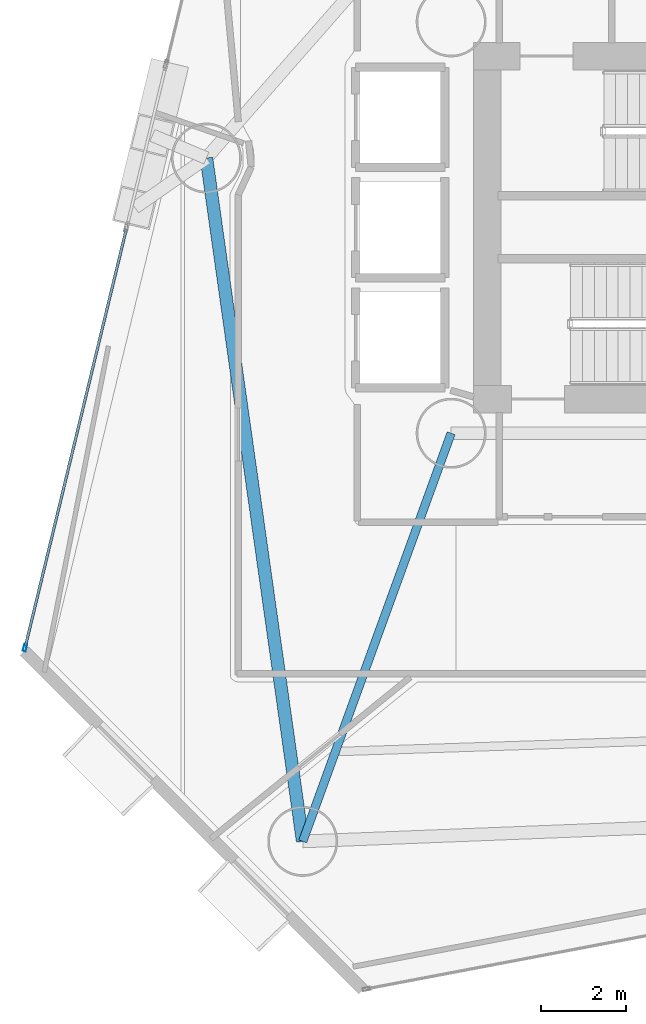
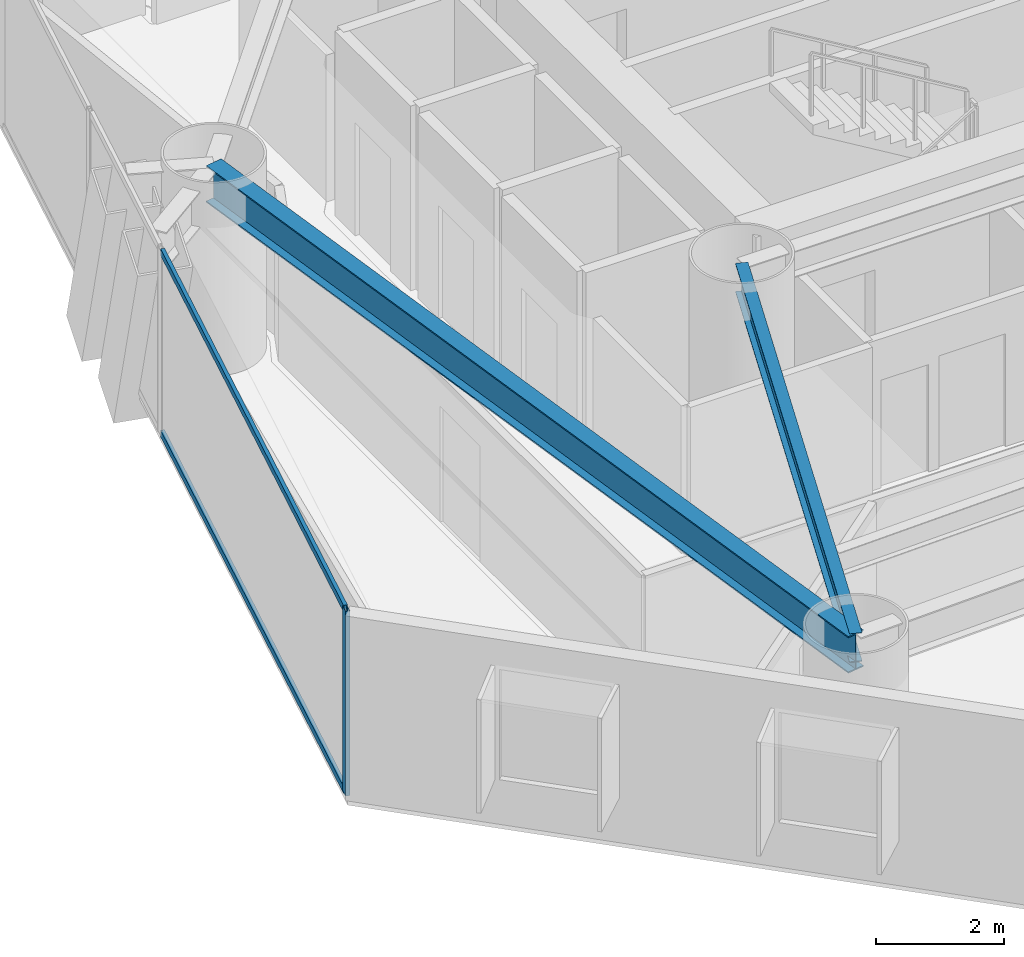
# One storey, part 3 of 23: 3 members, 2 beams, 1 element without a shape of its own.
"""IFC4 building model written with IfcOpenShell, lengths in metres."""

from ifc_helpers import new_model, si_unit, direction, frame, origin, origin_2d, place, context, subcontext, project, spatial, hollow_rectangle, i_section, extrude, material, layer, layer_set, material_profile, profile_set, type_object, element, aggregate, save


model = new_model("IFC4")

# Units and contexts
model_context = context("Model", 3, precision=1e-05, world=origin(), true_north=direction((0.0, 1.0)))
body_context = subcontext(model_context, "Body", "Model", "MODEL_VIEW")
ifc_project = project(units=[si_unit("LENGTHUNIT", "METRE"), si_unit("AREAUNIT", "SQUARE_METRE"), si_unit("VOLUMEUNIT", "CUBIC_METRE"), si_unit("PLANEANGLEUNIT", "RADIAN"), si_unit("MASSUNIT", "GRAM", prefix="KILO")], contexts=[model_context])

# Site, building, storey
site_placement = place(None, origin())
site = spatial("IfcSite", under=ifc_project, at=site_placement, CompositionType="ELEMENT")
building_placement = place(site_placement, origin())
building = spatial("IfcBuilding", under=site, at=building_placement, Name="Qianvela Tower", CompositionType="ELEMENT")
storey_placement = place(building_placement, frame((0.0, 0.0, 85.800048828125)))
storey = spatial("IfcBuildingStorey", under=building, at=storey_placement, Name="L21", CompositionType="ELEMENT", Elevation=85.800048828125)

# Beams
ifc_material_1 = material(Name="Steel Q355B", Category="steel")
ifc_material_profile_1 = material_profile(ifc_material_1, i_section(OverallWidth=0.199951171875, OverallDepth=0.550048828125, WebThickness=0.010009765625, FlangeThickness=0.01611328125, at=origin_2d()), Name="HN550x200x10x16")
ifc_profile_set_1 = profile_set([ifc_material_profile_1], Name="Steel Q355B")
beam_type_1 = type_object("IfcBeamType", Name="BM-HN550-GIRD", PredefinedType="BEAM", material=ifc_profile_set_1)
beam_1_placement = place(storey_placement, frame((28.60009765625, 23.85009765625, 3.242919921875), z_axis=(-0.341743063087, -0.939793423488, 0.0), x_axis=(0.939793423488, -0.341743063087, 0.0)))
element("IfcBeam", 1, at=beam_1_placement, inside=storey, type_object=beam_type_1, Name="L21 Radial Primary Floor Girder 5", PredefinedType="BEAM", context=body_context, shape_type="SweptSolid", body=[
    extrude(i_section(OverallWidth=0.199951171875, OverallDepth=0.550048828125, WebThickness=0.010009765625, FlangeThickness=0.01611328125, at=origin_2d()), origin(), (0.0, 0.0, 1.0), 10.24169921875),
])
ifc_material_2 = material(Name="Steel Q355B", Category="steel")
ifc_material_profile_2 = material_profile(ifc_material_2, i_section(OverallWidth=0.300048828125, OverallDepth=0.699951171875, WebThickness=0.012939453125, FlangeThickness=0.02392578125, at=origin_2d()), Name="HN700x300x13x24")
ifc_profile_set_2 = profile_set([ifc_material_profile_2], Name="Steel Q355B")
beam_type_2 = type_object("IfcBeamType", Name="BM-HN700-SPAND", PredefinedType="SPANDREL", material=ifc_profile_set_2)
beam_2_placement = place(storey_placement, frame((22.8291015625, 30.340087890625, 3.16796875), z_axis=(0.139545592864, -0.990215646974, 0.0), x_axis=(0.990215646974, 0.139545592864, 0.0)))
element("IfcBeam", 2, at=beam_2_placement, inside=storey, type_object=beam_type_2, Name="L21 Perimeter Ring Spandrel Girder 4", PredefinedType="SPANDREL", context=body_context, shape_type="SweptSolid", body=[
    extrude(i_section(OverallWidth=0.300048828125, OverallDepth=0.699951171875, WebThickness=0.012939453125, FlangeThickness=0.02392578125, at=origin_2d()), origin(), (0.0, 0.0, 1.0), 16.274169921875),
])

# Curtain wall, members
ifc_material_3 = material(Name="Anodised Architectural Aluminium and Low-E Glass", Category="aluminium")
ifc_layer = layer(ifc_material_3, 0.179931640625)
ifc_layer_set = layer_set([ifc_layer], Name="Anodised Architectural Aluminium and Low-E Glass")
curtain_wall_type = type_object("IfcCurtainWallType", Name="CW-COLIV-Z12", PredefinedType="USERDEFINED", material=ifc_layer_set)
curtain_wall_placement = place(storey_placement, origin())
curtain_wall = element("IfcCurtainWall", 3, at=curtain_wall_placement, inside=storey, type_object=curtain_wall_type, Name="L21 CW-COLIV-Z12 Curtain Wall 04C", ObjectType="CURTAIN_WALL_SYSTEM", PredefinedType="USERDEFINED")
ifc_material_4 = material(Name="Anodised Architectural Aluminium 6063-T6", Category="aluminium")
ifc_material_profile_3 = material_profile(ifc_material_4, hollow_rectangle(XDim=0.070068359375, YDim=0.179931640625, WallThickness=0.0048828125, at=origin_2d()), Name="ALU-MULL-70x180")
ifc_profile_set_3 = profile_set([ifc_material_profile_3], Name="Anodised Architectural Aluminium 6063-T6")
member_type_1 = type_object("IfcMemberType", Name="CW-COLIV-Z12-MULL", PredefinedType="MULLION", material=ifc_profile_set_3)
member_1_placement = place(storey_placement, frame((18.55224609375, 18.7958984375, 0.0), z_axis=(0.0, 0.0, 1.0), x_axis=(0.971961901314, -0.235138389877, 0.0)))
member_1 = element("IfcMember", 4, at=member_1_placement, type_object=member_type_1, Name="CW-3 mullion 2", PredefinedType="MULLION", context=body_context, shape_type="SweptSolid", body=[
    extrude(hollow_rectangle(XDim=0.070068359375, YDim=0.179931640625, WallThickness=0.0048828125, at=origin_2d()), origin(), (0.0, 0.0, 1.0), 3.52001953125),
])
ifc_material_5 = material(Name="Anodised Architectural Aluminium 6063-T6", Category="aluminium")
ifc_material_profile_4 = material_profile(ifc_material_5, hollow_rectangle(XDim=0.06494140625, YDim=0.1298828125, WallThickness=0.00439453125, at=origin_2d()), Name="ALU-TRAN-65x130")
ifc_profile_set_4 = profile_set([ifc_material_profile_4], Name="Anodised Architectural Aluminium 6063-T6")
member_type_2 = type_object("IfcMemberType", Name="CW-COLIV-Z12-TRAN", PredefinedType="USERDEFINED", material=ifc_profile_set_4)
member_2_placement = place(storey_placement, frame((20.938720703125, 28.661376953125, 0.032470703125), z_axis=(-0.235134399011, -0.971962866781, 0.0), x_axis=(0.971962866781, -0.235134399011, 0.0)))
member_2 = element("IfcMember", 5, at=member_2_placement, type_object=member_type_2, Name="CW-3 transom 1.1", ObjectType="TRANSOM", PredefinedType="USERDEFINED", context=body_context, shape_type="SweptSolid", body=[
    extrude(hollow_rectangle(XDim=0.06494140625, YDim=0.1298828125, WallThickness=0.00439453125, at=origin_2d()), origin(), (0.0, 0.0, 1.0), 10.115234375),
])
member_3_placement = place(storey_placement, frame((20.938720703125, 28.661376953125, 3.487548828125), z_axis=(-0.235134399011, -0.971962866781, 0.0), x_axis=(0.971962866781, -0.235134399011, 0.0)))
member_3 = element("IfcMember", 6, at=member_3_placement, type_object=member_type_2, Name="CW-3 transom 1.2", ObjectType="TRANSOM", PredefinedType="USERDEFINED", context=body_context, shape_type="SweptSolid", body=[
    extrude(hollow_rectangle(XDim=0.06494140625, YDim=0.1298828125, WallThickness=0.00439453125, at=origin_2d()), origin(), (0.0, 0.0, 1.0), 10.115234375),
])
aggregate(curtain_wall, [member_1, member_2, member_3])

save(model, "model.ifc")
